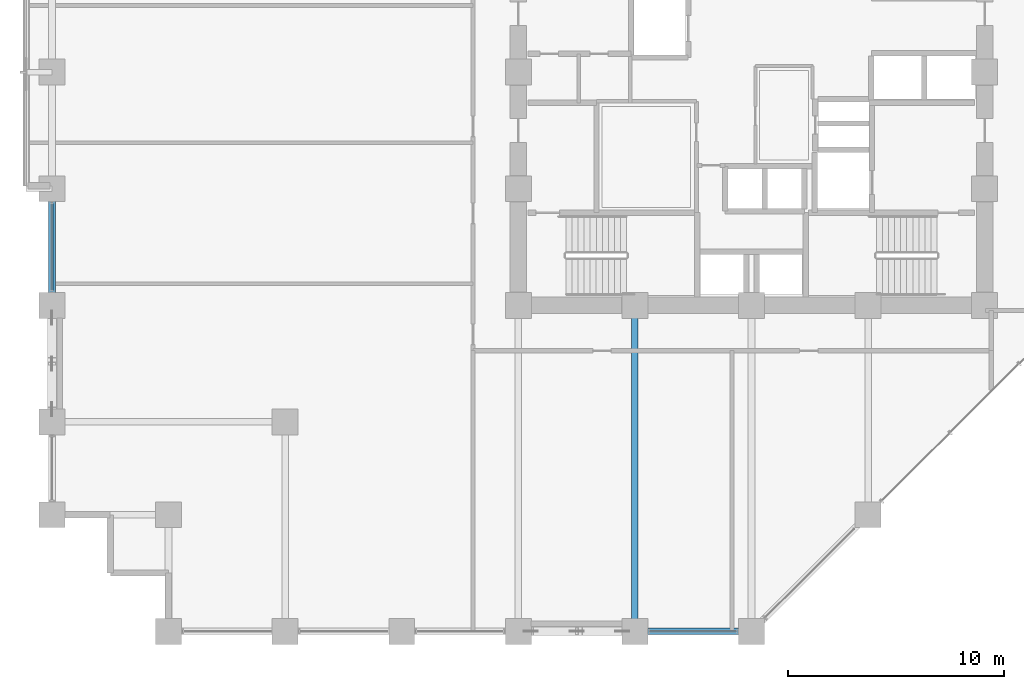
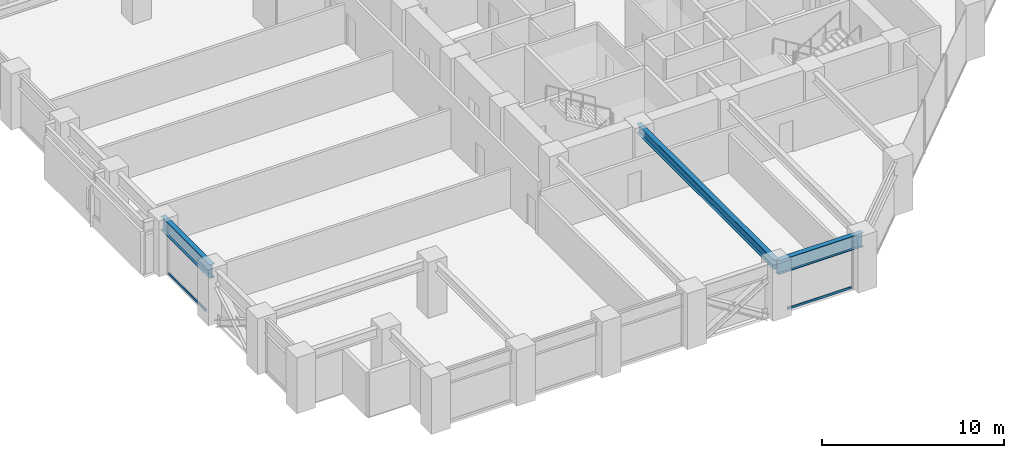
# One storey, part 5 of 26: 3 beams, 2 members, 2 elements without a shape of their own.
"""IFC4 building model written with IfcOpenShell, lengths in metres."""

from ifc_helpers import new_model, si_unit, direction, frame, origin, origin_2d, place, context, subcontext, project, spatial, hollow_rectangle, i_section, extrude, material, layer, layer_set, material_profile, profile_set, type_object, element, aggregate, save


model = new_model("IFC4")

# Units and contexts
model_context = context("Model", 3, precision=1e-05, world=origin(), true_north=direction((0.0, 1.0)))
body_context = subcontext(model_context, "Body", "Model", "MODEL_VIEW")
ifc_project = project(units=[si_unit("LENGTHUNIT", "METRE"), si_unit("AREAUNIT", "SQUARE_METRE"), si_unit("VOLUMEUNIT", "CUBIC_METRE"), si_unit("PLANEANGLEUNIT", "RADIAN"), si_unit("MASSUNIT", "GRAM", prefix="KILO")], contexts=[model_context])

# Site, building, storey
site_placement = place(None, origin())
site = spatial("IfcSite", under=ifc_project, at=site_placement, CompositionType="ELEMENT")
building_placement = place(site_placement, origin())
building = spatial("IfcBuilding", under=site, at=building_placement, Name="Surkhivell Harbour Commons", CompositionType="ELEMENT")
storey_placement = place(building_placement, frame((0.0, 0.0, 60.0)))
storey = spatial("IfcBuildingStorey", under=building, at=storey_placement, Name="L15", CompositionType="ELEMENT", Elevation=60.0)

# Beams
ifc_material_1 = material(Name="Steel S355", Category="steel")
ifc_material_profile_1 = material_profile(ifc_material_1, i_section(OverallWidth=0.306884765625, OverallDepth=0.6201171875, WebThickness=0.01416015625, FlangeThickness=0.023681640625, at=origin_2d()), Name="UB610x305x179")
ifc_profile_set_1 = profile_set([ifc_material_profile_1], Name="Steel S355")
beam_type_1 = type_object("IfcBeamType", Name="BM-GRD-610A", PredefinedType="BEAM", material=ifc_profile_set_1)
beam_1_placement = place(storey_placement, frame((-5.39990234375, -25.89990234375, 3.260009765625), z_axis=(0.0, 1.0, 0.0), x_axis=(-1.0, 0.0, 0.0)))
element("IfcBeam", 1, at=beam_1_placement, inside=storey, type_object=beam_type_1, Name="L15 Floor Girder (-5.4,-25.9)", PredefinedType="BEAM", context=body_context, shape_type="SweptSolid", body=[
    extrude(i_section(OverallWidth=0.306884765625, OverallDepth=0.6201171875, WebThickness=0.01416015625, FlangeThickness=0.023681640625, at=origin_2d()), origin(), (0.0, 0.0, 1.0), 15.099853515625),
])
ifc_material_2 = material(Name="Steel S460", Category="steel")
ifc_material_profile_2 = material_profile(ifc_material_2, i_section(OverallWidth=0.30810546875, OverallDepth=0.927001953125, WebThickness=0.01953125, FlangeThickness=0.031982421875, at=origin_2d()), Name="UB914x305x289")
ifc_profile_set_2 = profile_set([ifc_material_profile_2], Name="Steel S460")
beam_type_2 = type_object("IfcBeamType", Name="BM-SPN-914B", PredefinedType="SPANDREL", material=ifc_profile_set_2)
beam_2_placement = place(storey_placement, frame((-32.39990234375, -10.800048828125, 3.1064453125), z_axis=(0.0, 1.0, 0.0), x_axis=(-1.0, 0.0, 0.0)))
element("IfcBeam", 2, at=beam_2_placement, inside=storey, type_object=beam_type_2, Name="L15 Tube Spandrel (-32.4,-10.8)", PredefinedType="SPANDREL", context=body_context, shape_type="SweptSolid", body=[
    extrude(i_section(OverallWidth=0.30810546875, OverallDepth=0.927001953125, WebThickness=0.01953125, FlangeThickness=0.031982421875, at=origin_2d()), origin(), (0.0, 0.0, 1.0), 5.400146484375),
])
beam_3_placement = place(storey_placement, frame((-5.39990234375, -25.89990234375, 3.1064453125), z_axis=(1.0, 0.0, 0.0), x_axis=(0.0, 1.0, 0.0)))
element("IfcBeam", 3, at=beam_3_placement, inside=storey, type_object=beam_type_2, Name="L15 Tube Spandrel (-5.4,-25.9)", PredefinedType="SPANDREL", context=body_context, shape_type="SweptSolid", body=[
    extrude(i_section(OverallWidth=0.30810546875, OverallDepth=0.927001953125, WebThickness=0.01953125, FlangeThickness=0.031982421875, at=origin_2d()), origin(), (0.0, 0.0, 1.0), 5.39990234375),
])

# Curtain wall, member
ifc_material_3 = material(Name="Anodised pale-metal aluminium and insulated glazing", Category="aluminium")
ifc_layer = layer(ifc_material_3, 0.219970703125)
ifc_layer_set = layer_set([ifc_layer], Name="Anodised pale-metal aluminium and insulated glazing")
curtain_wall_type = type_object("IfcCurtainWallType", Name="CW-SYS-Z1", PredefinedType="NOTDEFINED", material=ifc_layer_set)
curtain_wall_1_placement = place(storey_placement, origin())
curtain_wall_1 = element("IfcCurtainWall", 4, at=curtain_wall_1_placement, inside=storey, type_object=curtain_wall_type, Name="L15 Curtain Wall CW-L15-E00S2", PredefinedType="NOTDEFINED")
ifc_material_4 = material(Name="Anodised pale-metal aluminium alloy 6063-T6", Category="aluminium")
ifc_material_profile_3 = material_profile(ifc_material_4, hollow_rectangle(XDim=0.074951171875, YDim=0.14990234375, WallThickness=0.00341796875, at=origin_2d()), Name="ALU-TRAN-75x150")
ifc_profile_set_3 = profile_set([ifc_material_profile_3], Name="Anodised pale-metal aluminium alloy 6063-T6")
member_type = type_object("IfcMemberType", Name="CWT-150", PredefinedType="USERDEFINED", material=ifc_profile_set_3)
member_1_placement = place(storey_placement, frame((-4.722900390625, -25.89990234375, 0.074951171875), z_axis=(1.0, 0.0, 0.0), x_axis=(0.0, 1.0, 0.0)))
member_1 = element("IfcMember", 5, at=member_1_placement, type_object=member_type, Name="CW-Z1 transom 1.1", ObjectType="TRANSOM", PredefinedType="USERDEFINED", context=body_context, shape_type="SweptSolid", body=[
    extrude(hollow_rectangle(XDim=0.074951171875, YDim=0.14990234375, WallThickness=0.00341796875, at=origin_2d()), origin(), (0.0, 0.0, 1.0), 4.0458984375),
])
aggregate(curtain_wall_1, [member_1])

curtain_wall_2_placement = place(storey_placement, origin())
curtain_wall_2 = element("IfcCurtainWall", 6, at=curtain_wall_2_placement, inside=storey, type_object=curtain_wall_type, Name="L15 Curtain Wall CW-L15-E12R1S2", PredefinedType="NOTDEFINED")
member_2_placement = place(storey_placement, frame((-32.39990234375, -10.123046875, 0.074951171875), z_axis=(0.0, 1.0, 0.0), x_axis=(-1.0, 0.0, 0.0)))
member_2 = element("IfcMember", 7, at=member_2_placement, type_object=member_type, Name="CW-Z1 transom 1.1", ObjectType="TRANSOM", PredefinedType="USERDEFINED", context=body_context, shape_type="SweptSolid", body=[
    extrude(hollow_rectangle(XDim=0.074951171875, YDim=0.14990234375, WallThickness=0.00341796875, at=origin_2d()), origin(), (0.0, 0.0, 1.0), 4.046142578125),
])
aggregate(curtain_wall_2, [member_2])

save(model, "model.ifc")
